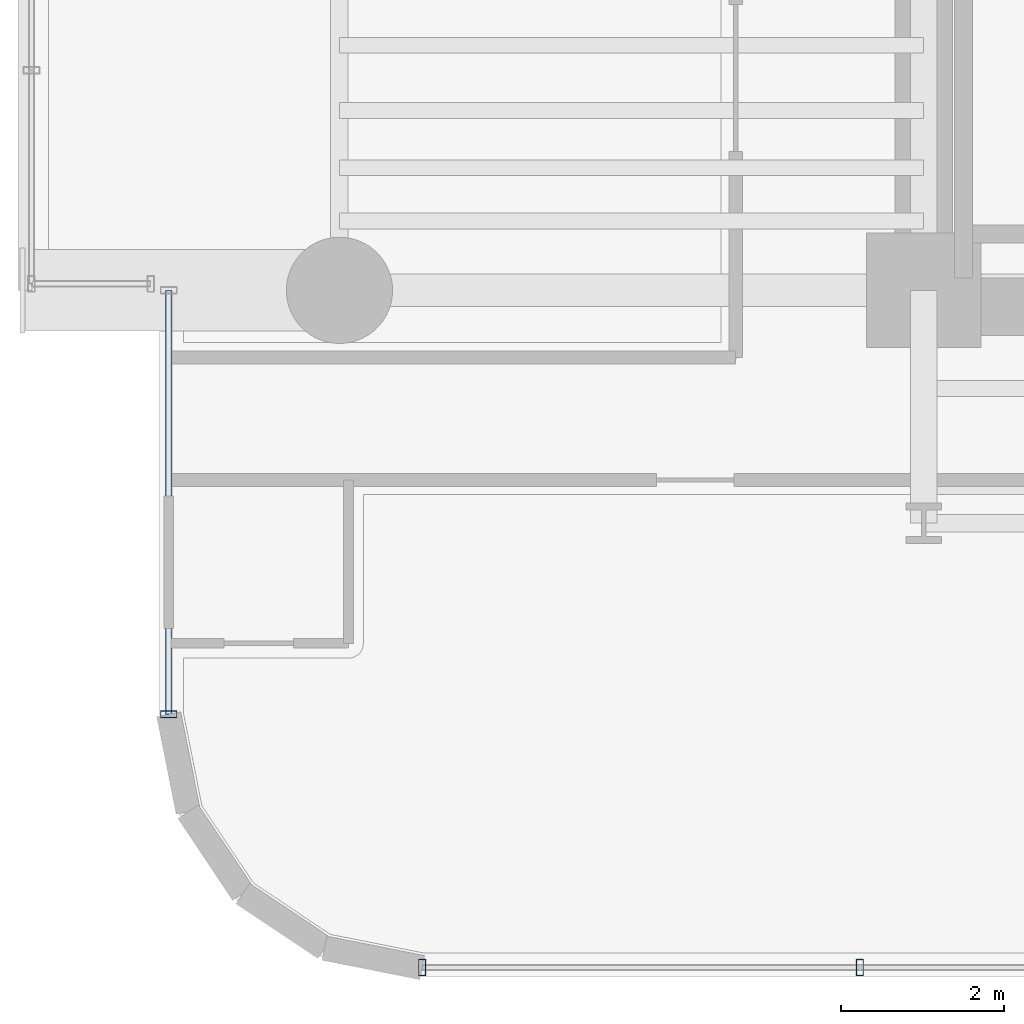
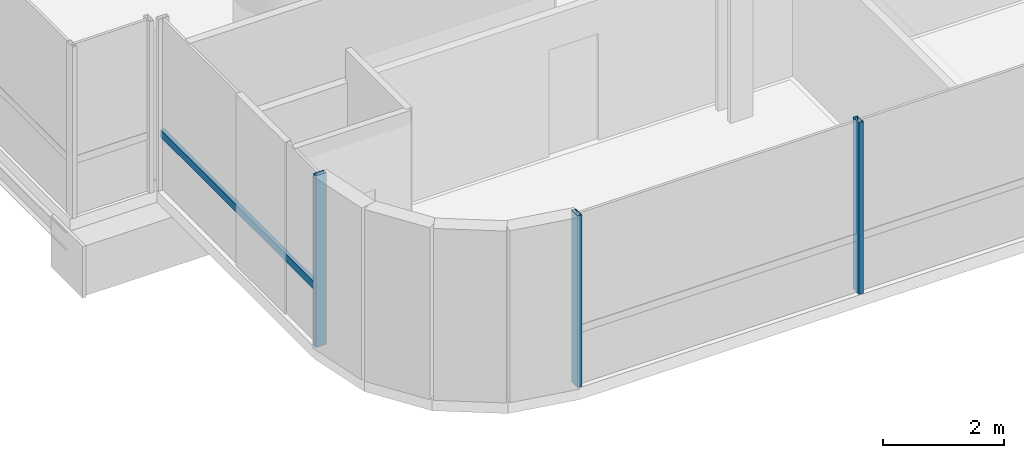
# One storey, part 2 of 40: 4 members, 2 elements without a shape of their own.
"""IFC4 building model written with IfcOpenShell, lengths in metres."""

from ifc_helpers import new_model, si_unit, direction, frame, origin, origin_2d, place, context, subcontext, project, spatial, hollow_rectangle, extrude, source, transform, mapped, material, material_profile, profile_set, type_object, element, aggregate, save


model = new_model("IFC4")

# Units and contexts
model_context = context("Model", 3, precision=1e-05, world=origin(), true_north=direction((0.0, 1.0)))
body_context = subcontext(model_context, "Body", "Model", "MODEL_VIEW")
ifc_project = project(units=[si_unit("LENGTHUNIT", "METRE"), si_unit("AREAUNIT", "SQUARE_METRE"), si_unit("VOLUMEUNIT", "CUBIC_METRE"), si_unit("PLANEANGLEUNIT", "RADIAN"), si_unit("MASSUNIT", "GRAM", prefix="KILO")], contexts=[model_context])

# Site, building, storey
site_placement = place(None, origin())
site = spatial("IfcSite", under=ifc_project, at=site_placement, CompositionType="ELEMENT")
building_placement = place(site_placement, origin())
building = spatial("IfcBuilding", under=site, at=building_placement, Name="Valdorenza Pilgrim Sanctuary Tower", CompositionType="ELEMENT")
storey_placement = place(building_placement, frame((0.0, 0.0, 92.60009765625)))
storey = spatial("IfcBuildingStorey", under=building, at=storey_placement, Name="L23", CompositionType="ELEMENT", Elevation=92.60009765625)

# Curtain wall, member
ifc_material_1 = material(Name="Curtain-wall IGU glazing", Category="glass")
curtain_wall_type = type_object("IfcCurtainWallType", Name="CW-SYS-02", PredefinedType="NOTDEFINED", material=ifc_material_1)
curtain_wall_1_placement = place(storey_placement, origin())
curtain_wall_1 = element("IfcCurtainWall", 1, at=curtain_wall_1_placement, inside=storey, type_object=curtain_wall_type, Name="L23 Curtain Wall CW-L23-1-1S1", PredefinedType="NOTDEFINED")
ifc_material_2 = material(Name="Anodised aluminium AW-6060", Category="aluminium")
ifc_material_profile_1 = material_profile(ifc_material_2, hollow_rectangle(XDim=0.0849609375, YDim=0.199951171875, WallThickness=0.0048828125, at=origin_2d()), Name="ALU-M 200x85x5")
ifc_profile_set_1 = profile_set([ifc_material_profile_1], Name="Anodised aluminium AW-6060")
member_type_1 = type_object("IfcMemberType", Name="CW-MUL-02", PredefinedType="MULLION", material=ifc_profile_set_1)
shared_shape_1 = source(origin(), body_context, "Body", "SweptSolid", [
    extrude(hollow_rectangle(XDim=0.0849609375, YDim=0.199951171875, WallThickness=0.0048828125, at=origin_2d()), origin(), (0.0, 0.0, 1.0), 3.4599609375),
])
member_1_placement = place(storey_placement, frame((-31.889892578125, -15.789306640625, 0.0), z_axis=(0.0, 0.0, 1.0), x_axis=(0.0, 1.0, 0.0)))
member_1 = element("IfcMember", 2, at=member_1_placement, type_object=member_type_1, Name="CW-L23-1-1S1 Mullion 1", PredefinedType="MULLION", context=body_context, shape_type="MappedRepresentation", body=[
    mapped(shared_shape_1, transform((0.0, 0.0, 0.0), x_axis=(1.0, 0.0, 0.0), y_axis=(0.0, 1.0, 0.0), z_axis=(0.0, 0.0, 1.0), scale=1.0)),
])

# Curtain wall, members
curtain_wall_2_placement = place(storey_placement, origin())
curtain_wall_2 = element("IfcCurtainWall", 3, at=curtain_wall_2_placement, inside=storey, type_object=curtain_wall_type, Name="L23 Curtain Wall CW-L23-1-46", PredefinedType="NOTDEFINED")
member_2_placement = place(storey_placement, frame((-23.4296875, -18.889892578125, 0.0), z_axis=(0.0, 0.0, 1.0), x_axis=(-1.0, 0.0, 0.0)))
member_2 = element("IfcMember", 4, at=member_2_placement, type_object=member_type_1, Name="CW-L23-1-46 Mullion 3", PredefinedType="MULLION", context=body_context, shape_type="MappedRepresentation", body=[
    mapped(shared_shape_1, transform((0.0, 0.0, 0.0), x_axis=(1.0, 0.0, 0.0), y_axis=(0.0, 1.0, 0.0), z_axis=(0.0, 0.0, 1.0), scale=1.0)),
])
member_3_placement = place(storey_placement, frame((-28.789306640625, -18.889892578125, 0.0), z_axis=(0.0, 0.0, 1.0), x_axis=(-1.0, 0.0, 0.0)))
member_3 = element("IfcMember", 5, at=member_3_placement, type_object=member_type_1, Name="CW-L23-1-46 Mullion 4", PredefinedType="MULLION", context=body_context, shape_type="MappedRepresentation", body=[
    mapped(shared_shape_1, transform((0.0, 0.0, 0.0), x_axis=(1.0, 0.0, 0.0), y_axis=(0.0, 1.0, 0.0), z_axis=(0.0, 0.0, 1.0), scale=1.0)),
])
aggregate(curtain_wall_2, [member_2, member_3])

# Member
ifc_material_profile_2 = material_profile(ifc_material_2, hollow_rectangle(XDim=0.074951171875, YDim=0.14990234375, WallThickness=0.00390625, at=origin_2d()), Name="ALU-T 150x75x4")
ifc_profile_set_2 = profile_set([ifc_material_profile_2], Name="Anodised aluminium AW-6060")
member_type_2 = type_object("IfcMemberType", Name="CW-TRN-02", PredefinedType="USERDEFINED", material=ifc_profile_set_2)
shared_shape_2 = source(origin(), body_context, "Body", "SweptSolid", [
    extrude(hollow_rectangle(XDim=0.074951171875, YDim=0.14990234375, WallThickness=0.00390625, at=origin_2d()), origin(), (0.0, 0.0, 1.0), 5.189208984375),
])
member_4_placement = place(storey_placement, frame((-31.889892578125, -15.789306640625, 1.119873046875), z_axis=(0.0, 1.0, 0.0), x_axis=(-1.0, 0.0, 0.0)))
member_4 = element("IfcMember", 6, at=member_4_placement, type_object=member_type_2, Name="CW-L23-1-1S1 Transom 1", ObjectType="TRANSOM", PredefinedType="USERDEFINED", context=body_context, shape_type="MappedRepresentation", body=[
    mapped(shared_shape_2, transform((0.0, 0.0, 0.0), x_axis=(1.0, 0.0, 0.0), y_axis=(0.0, 1.0, 0.0), z_axis=(0.0, 0.0, 1.0), scale=1.0)),
])

aggregate(curtain_wall_1, [member_1, member_4])

save(model, "model.ifc")
